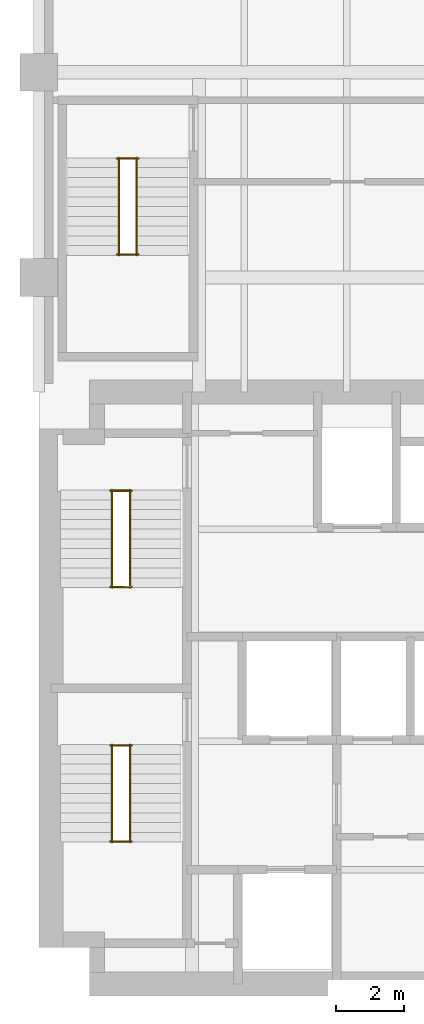
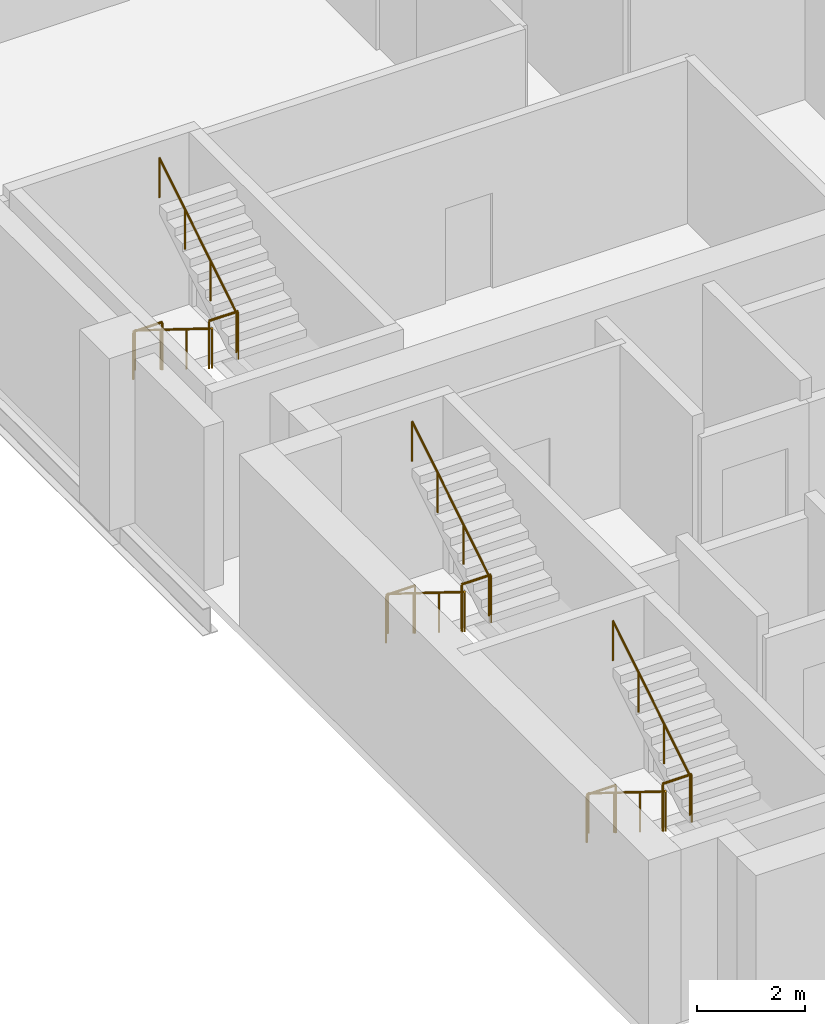
# One storey, part 8 of 8: 12 railings.
"""IFC4 building model written with IfcOpenShell, lengths in metres."""

from ifc_helpers import new_model, si_unit, direction, frame, origin, origin_2d, place, context, subcontext, project, spatial, circle, extrude, material, type_object, element, save


model = new_model("IFC4")

# Units and contexts
model_context = context("Model", 3, precision=1e-05, world=origin(), true_north=direction((0.0, 1.0)))
body_context = subcontext(model_context, "Body", "Model", "MODEL_VIEW")
ifc_project = project(units=[si_unit("LENGTHUNIT", "METRE"), si_unit("AREAUNIT", "SQUARE_METRE"), si_unit("VOLUMEUNIT", "CUBIC_METRE"), si_unit("PLANEANGLEUNIT", "RADIAN"), si_unit("MASSUNIT", "GRAM", prefix="KILO")], contexts=[model_context])

# Site, building, storey
site_placement = place(None, origin())
site = spatial("IfcSite", under=ifc_project, at=site_placement, CompositionType="ELEMENT")
building_placement = place(site_placement, origin())
building = spatial("IfcBuilding", under=site, at=building_placement, Name="Mawjdan Bourse Tower", CompositionType="ELEMENT")
storey_placement = place(building_placement, frame((0.0, 0.0, 101.10009765625)))
storey = spatial("IfcBuildingStorey", under=building, at=storey_placement, Name="L23", CompositionType="ELEMENT", Elevation=101.10009765625)

# Railings
ifc_material_1 = material(Name="Structural Steel S355", Category="steel")
railing_type_1 = type_object("IfcRailingType", Name="RLG-GRD-1100", PredefinedType="GUARDRAIL", material=ifc_material_1)
for number, where, name in (
    (1, (8.090087890625, 7.52001953125, 1.949951171875), "L23 ST1 Landing Guardrail GL-MID"),
    (2, (8.090087890625, 10.330078125, 0.0), "L23 ST1 Landing Guardrail GL-BOT"),
    (3, (8.090087890625, 14.9599609375, 1.949951171875), "L23 ST2 Landing Guardrail GL-MID"),
    (4, (8.090087890625, 17.77001953125, 0.0), "L23 ST2 Landing Guardrail GL-BOT"),
    (5, (8.2900390625, 24.669921875, 1.949951171875), "L23 ST3 Landing Guardrail GL-MID"),
    (6, (8.2900390625, 27.47998046875, 0.0), "L23 ST3 Landing Guardrail GL-BOT"),
):
    element("IfcRailing", number, at=place(storey_placement, frame(where)), inside=storey, type_object=railing_type_1, Name=name, PredefinedType="GUARDRAIL", context=body_context, shape_type="SweptSolid", body=[
        extrude(circle(Radius=0.02490234375, at=origin_2d()), frame((0.0, 0.0, 1.0751953125), z_axis=(1.0, 0.0, 0.0), x_axis=(0.0, 1.0, 0.0)), (0.0, 0.0, 1.0), 0.619873046875),
        extrude(circle(Radius=0.02099609375, at=origin_2d()), origin(), (0.0, 0.0, 1.0), 1.050048828125),
        extrude(circle(Radius=0.02099609375, at=origin_2d()), frame((0.619873046875, 0.0, 0.0)), (0.0, 0.0, 1.0), 1.050048828125),
    ])
ifc_material_2 = material(Name="Brushed Stainless Steel", Category="steel")
railing_type_2 = type_object("IfcRailingType", Name="RLG-HND-920", PredefinedType="HANDRAIL", material=ifc_material_2)
railing_1_placement = place(storey_placement, frame((8.139892578125, 10.35009765625, 0.17724609375)))
element("IfcRailing", 7, at=railing_1_placement, inside=storey, type_object=railing_type_2, Name="L23 ST1 Flight Handrail HR1", PredefinedType="HANDRAIL", context=body_context, shape_type="SweptSolid", body=[
    extrude(circle(Radius=0.0224609375, at=origin_2d()), frame((0.0, 0.0, 0.8974609375), z_axis=(0.0, -0.849148672731, 0.528153890072), x_axis=(1.0, 0.0, 0.0)), (0.0, 0.0, 1.0), 3.3564453125),
    extrude(circle(Radius=0.01904296875, at=origin_2d()), origin(), (0.0, 0.0, 1.0), 0.875),
    extrude(circle(Radius=0.01904296875, at=origin_2d()), frame((0.0, -0.949951171875, 0.5908203125)), (0.0, 0.0, 1.0), 0.875),
    extrude(circle(Radius=0.01904296875, at=origin_2d()), frame((0.0, -1.900146484375, 1.181884765625)), (0.0, 0.0, 1.0), 0.875),
    extrude(circle(Radius=0.01904296875, at=origin_2d()), frame((0.0, -2.85009765625, 1.772705078125)), (0.0, 0.0, 1.0), 0.875),
])
railing_2_placement = place(storey_placement, frame((8.659912109375, 7.5, 2.127197265625)))
element("IfcRailing", 8, at=railing_2_placement, inside=storey, type_object=railing_type_2, Name="L23 ST1 Flight Handrail HR2", PredefinedType="HANDRAIL", context=body_context, shape_type="SweptSolid", body=[
    extrude(circle(Radius=0.0224609375, at=origin_2d()), frame((0.0, 0.0, 0.8974609375), z_axis=(0.0, 0.849148672731, 0.528153890072), x_axis=(-1.0, 0.0, 0.0)), (0.0, 0.0, 1.0), 3.3564453125),
    extrude(circle(Radius=0.01904296875, at=origin_2d()), origin(), (0.0, 0.0, 1.0), 0.875),
    extrude(circle(Radius=0.01904296875, at=origin_2d()), frame((0.0, 0.949951171875, 0.5908203125)), (0.0, 0.0, 1.0), 0.875),
    extrude(circle(Radius=0.01904296875, at=origin_2d()), frame((0.0, 1.900146484375, 1.181884765625)), (0.0, 0.0, 1.0), 0.875),
    extrude(circle(Radius=0.01904296875, at=origin_2d()), frame((0.0, 2.85009765625, 1.772705078125)), (0.0, 0.0, 1.0), 0.875),
])
railing_3_placement = place(storey_placement, frame((8.139892578125, 17.7900390625, 0.17724609375)))
element("IfcRailing", 9, at=railing_3_placement, inside=storey, type_object=railing_type_2, Name="L23 ST2 Flight Handrail HR1", PredefinedType="HANDRAIL", context=body_context, shape_type="SweptSolid", body=[
    extrude(circle(Radius=0.0224609375, at=origin_2d()), frame((0.0, 0.0, 0.8974609375), z_axis=(0.0, -0.849148672731, 0.528153890072), x_axis=(1.0, 0.0, 0.0)), (0.0, 0.0, 1.0), 3.3564453125),
    extrude(circle(Radius=0.01904296875, at=origin_2d()), origin(), (0.0, 0.0, 1.0), 0.875),
    extrude(circle(Radius=0.01904296875, at=origin_2d()), frame((0.0, -0.949951171875, 0.5908203125)), (0.0, 0.0, 1.0), 0.875),
    extrude(circle(Radius=0.01904296875, at=origin_2d()), frame((0.0, -1.900146484375, 1.181884765625)), (0.0, 0.0, 1.0), 0.875),
    extrude(circle(Radius=0.01904296875, at=origin_2d()), frame((0.0, -2.85009765625, 1.772705078125)), (0.0, 0.0, 1.0), 0.875),
])
railing_4_placement = place(storey_placement, frame((8.659912109375, 14.93994140625, 2.127197265625)))
element("IfcRailing", 10, at=railing_4_placement, inside=storey, type_object=railing_type_2, Name="L23 ST2 Flight Handrail HR2", PredefinedType="HANDRAIL", context=body_context, shape_type="SweptSolid", body=[
    extrude(circle(Radius=0.0224609375, at=origin_2d()), frame((0.0, 0.0, 0.8974609375), z_axis=(0.0, 0.849148672731, 0.528153890072), x_axis=(-1.0, 0.0, 0.0)), (0.0, 0.0, 1.0), 3.3564453125),
    extrude(circle(Radius=0.01904296875, at=origin_2d()), origin(), (0.0, 0.0, 1.0), 0.875),
    extrude(circle(Radius=0.01904296875, at=origin_2d()), frame((0.0, 0.949951171875, 0.5908203125)), (0.0, 0.0, 1.0), 0.875),
    extrude(circle(Radius=0.01904296875, at=origin_2d()), frame((0.0, 1.900146484375, 1.181884765625)), (0.0, 0.0, 1.0), 0.875),
    extrude(circle(Radius=0.01904296875, at=origin_2d()), frame((0.0, 2.85009765625, 1.772705078125)), (0.0, 0.0, 1.0), 0.875),
])
railing_5_placement = place(storey_placement, frame((8.340087890625, 27.5, 0.17724609375)))
element("IfcRailing", 11, at=railing_5_placement, inside=storey, type_object=railing_type_2, Name="L23 ST3 Flight Handrail HR1", PredefinedType="HANDRAIL", context=body_context, shape_type="SweptSolid", body=[
    extrude(circle(Radius=0.0224609375, at=origin_2d()), frame((0.0, 0.0, 0.8974609375), z_axis=(0.0, -0.849148672731, 0.528153890072), x_axis=(1.0, 0.0, 0.0)), (0.0, 0.0, 1.0), 3.3564453125),
    extrude(circle(Radius=0.01904296875, at=origin_2d()), origin(), (0.0, 0.0, 1.0), 0.875),
    extrude(circle(Radius=0.01904296875, at=origin_2d()), frame((0.0, -0.949951171875, 0.5908203125)), (0.0, 0.0, 1.0), 0.875),
    extrude(circle(Radius=0.01904296875, at=origin_2d()), frame((0.0, -1.900146484375, 1.181884765625)), (0.0, 0.0, 1.0), 0.875),
    extrude(circle(Radius=0.01904296875, at=origin_2d()), frame((0.0, -2.85009765625, 1.772705078125)), (0.0, 0.0, 1.0), 0.875),
])
railing_6_placement = place(storey_placement, frame((8.860107421875, 24.64990234375, 2.127197265625)))
element("IfcRailing", 12, at=railing_6_placement, inside=storey, type_object=railing_type_2, Name="L23 ST3 Flight Handrail HR2", PredefinedType="HANDRAIL", context=body_context, shape_type="SweptSolid", body=[
    extrude(circle(Radius=0.0224609375, at=origin_2d()), frame((0.0, 0.0, 0.8974609375), z_axis=(0.0, 0.849148672731, 0.528153890072), x_axis=(-1.0, 0.0, 0.0)), (0.0, 0.0, 1.0), 3.3564453125),
    extrude(circle(Radius=0.01904296875, at=origin_2d()), origin(), (0.0, 0.0, 1.0), 0.875),
    extrude(circle(Radius=0.01904296875, at=origin_2d()), frame((0.0, 0.949951171875, 0.5908203125)), (0.0, 0.0, 1.0), 0.875),
    extrude(circle(Radius=0.01904296875, at=origin_2d()), frame((0.0, 1.900146484375, 1.181884765625)), (0.0, 0.0, 1.0), 0.875),
    extrude(circle(Radius=0.01904296875, at=origin_2d()), frame((0.0, 2.85009765625, 1.772705078125)), (0.0, 0.0, 1.0), 0.875),
])

save(model, "model.ifc")
